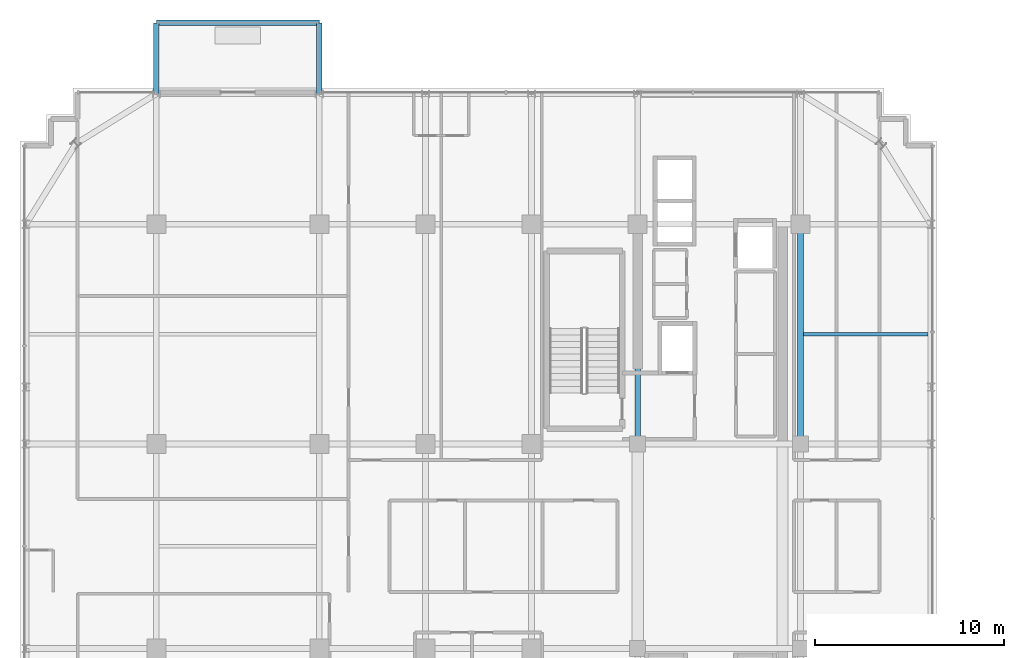
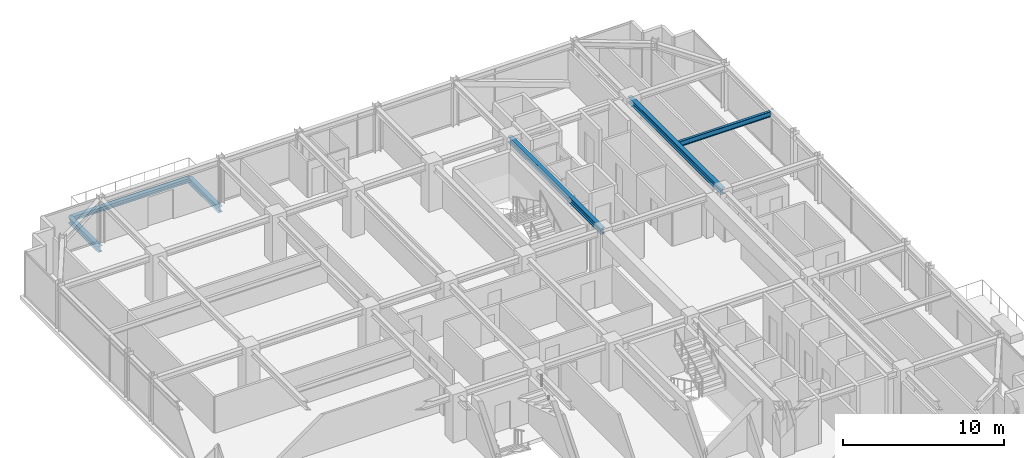
# One storey, part 24 of 36: 6 beams.
"""IFC4 building model written with IfcOpenShell, lengths in metres."""

from ifc_helpers import new_model, si_unit, direction, frame, origin, origin_2d, place, context, subcontext, project, spatial, i_section, extrude, source, transform, mapped, material, material_profile, profile_set, type_object, element, save


model = new_model("IFC4")

# Units and contexts
model_context = context("Model", 3, precision=1e-05, world=origin(), true_north=direction((0.0, 1.0)))
body_context = subcontext(model_context, "Body", "Model", "MODEL_VIEW")
ifc_project = project(units=[si_unit("LENGTHUNIT", "METRE"), si_unit("AREAUNIT", "SQUARE_METRE"), si_unit("VOLUMEUNIT", "CUBIC_METRE"), si_unit("PLANEANGLEUNIT", "RADIAN"), si_unit("MASSUNIT", "GRAM", prefix="KILO")], contexts=[model_context])

# Site, building, storey
site_placement = place(None, origin())
site = spatial("IfcSite", under=ifc_project, at=site_placement, CompositionType="ELEMENT")
building_placement = place(site_placement, origin())
building = spatial("IfcBuilding", under=site, at=building_placement, Name="Nahalor Promenade Grand Hotel", CompositionType="ELEMENT")
storey_placement = place(building_placement, frame((0.0, 0.0, 219.699951171875)))
storey = spatial("IfcBuildingStorey", under=building, at=storey_placement, Name="L56", CompositionType="ELEMENT", Elevation=219.699951171875)

# Beams
ifc_material = material(Name="Steel S355JR", Category="steel")
ifc_material_profile_1 = material_profile(ifc_material, i_section(OverallWidth=0.3, OverallDepth=0.32, WebThickness=0.0115, FlangeThickness=0.0205, at=origin_2d()), Name="HEB 320")
ifc_profile_set_1 = profile_set([ifc_material_profile_1], Name="Steel S355JR")
beam_type_1 = type_object("IfcBeamType", Name="Beam-BalcEdge-HEB320", PredefinedType="SPANDREL", material=ifc_profile_set_1)
shared_shape_1 = source(origin(), body_context, "Body", "SweptSolid", [
    extrude(i_section(OverallWidth=0.3, OverallDepth=0.32, WebThickness=0.0115, FlangeThickness=0.0205, at=origin_2d()), origin(), (0.0, 0.0, 1.0), 8.60009765625),
])
beam_1_placement = place(storey_placement, frame((-17.0, 27.6298828125, -0.43994140625), z_axis=(1.0, 0.0, 0.0), x_axis=(0.0, 1.0, 0.0)))
element("IfcBeam", 1, at=beam_1_placement, inside=storey, type_object=beam_type_1, Name="BM-L56-BC-01-F", PredefinedType="SPANDREL", context=body_context, shape_type="MappedRepresentation", body=[
    mapped(shared_shape_1, transform((0.0, 0.0, 0.0), scale=1.0)),
])
ifc_material_profile_2 = material_profile(ifc_material, i_section(OverallWidth=0.3, OverallDepth=0.45, WebThickness=0.014, FlangeThickness=0.026, at=origin_2d()), Name="HEB 450")
ifc_profile_set_2 = profile_set([ifc_material_profile_2], Name="Steel S355JR")
beam_type_2 = type_object("IfcBeamType", Name="Beam-Outrigger-HEB450", PredefinedType="BEAM", material=ifc_profile_set_2)
shared_shape_2 = source(origin(), body_context, "Body", "SweptSolid", [
    extrude(i_section(OverallWidth=0.3, OverallDepth=0.45, WebThickness=0.014, FlangeThickness=0.026, at=origin_2d()), origin(), (0.0, 0.0, 1.0), 3.75),
])
for number, where, z_axis, x_axis, name in (
    (2, (-17.0, 23.8798828125, -0.5048828125), (0.0, 1.0, 0.0), (-1.0, 0.0, 0.0), "BM-L56-BC-01-1"),
    (3, (-8.39990234375, 23.8798828125, -0.5048828125), (0.0, 1.0, 0.0), (-1.0, 0.0, 0.0), "BM-L56-BC-01-2"),
):
    element("IfcBeam", number, at=place(storey_placement, frame(where, z_axis=z_axis, x_axis=x_axis)), inside=storey, type_object=beam_type_2, Name=name, PredefinedType="BEAM", context=body_context, shape_type="MappedRepresentation", body=[
        mapped(shared_shape_2, transform((0.0, 0.0, 0.0), scale=1.0)),
    ])
ifc_material_profile_3 = material_profile(ifc_material, i_section(OverallWidth=0.3, OverallDepth=0.45, WebThickness=0.014, FlangeThickness=0.026, at=origin_2d()), Name="HEB 450")
ifc_profile_set_3 = profile_set([ifc_material_profile_3], Name="Steel S355JR")
beam_type_3 = type_object("IfcBeamType", Name="Beam-Girder-HEB450", PredefinedType="BEAM", material=ifc_profile_set_3)
shared_shape_3 = source(origin(), body_context, "Body", "SweptSolid", [
    extrude(i_section(OverallWidth=0.3, OverallDepth=0.45, WebThickness=0.014, FlangeThickness=0.026, at=origin_2d()), origin(), (0.0, 0.0, 1.0), 11.60009765625),
])
for number, where, z_axis, x_axis, name in (
    (4, (8.39990234375, 5.39990234375, 3.18505859375), (0.0, 1.0, 0.0), (-1.0, 0.0, 0.0), "BM-L56-GY-4-3"),
    (5, (17.0, 5.39990234375, 3.18505859375), (0.0, 1.0, 0.0), (-1.0, 0.0, 0.0), "BM-L56-GY-5-3"),
):
    element("IfcBeam", number, at=place(storey_placement, frame(where, z_axis=z_axis, x_axis=x_axis)), inside=storey, type_object=beam_type_3, Name=name, PredefinedType="BEAM", context=body_context, shape_type="MappedRepresentation", body=[
        mapped(shared_shape_3, transform((0.0, 0.0, 0.0), scale=1.0)),
    ])
ifc_material_profile_4 = material_profile(ifc_material, i_section(OverallWidth=0.18, OverallDepth=0.4, WebThickness=0.0086, FlangeThickness=0.0135, at=origin_2d()), Name="IPE 400")
ifc_profile_set_4 = profile_set([ifc_material_profile_4], Name="Steel S355JR")
beam_type_4 = type_object("IfcBeamType", Name="Beam-Joist-IPE400", PredefinedType="JOIST", material=ifc_profile_set_4)
shared_shape_4 = source(origin(), body_context, "Body", "SweptSolid", [
    extrude(i_section(OverallWidth=0.18, OverallDepth=0.4, WebThickness=0.0086, FlangeThickness=0.0135, at=origin_2d()), origin(), (0.0, 0.0, 1.0), 6.580078125),
])
beam_2_placement = place(storey_placement, frame((17.14990234375, 11.199951171875, 3.2099609375), z_axis=(1.0, 0.0, 0.0), x_axis=(0.0, 1.0, 0.0)))
element("IfcBeam", 6, at=beam_2_placement, inside=storey, type_object=beam_type_4, Name="BM-L56-JSE-1-2", PredefinedType="JOIST", context=body_context, shape_type="MappedRepresentation", body=[
    mapped(shared_shape_4, transform((0.0, 0.0, 0.0), scale=1.0)),
])

save(model, "model.ifc")
